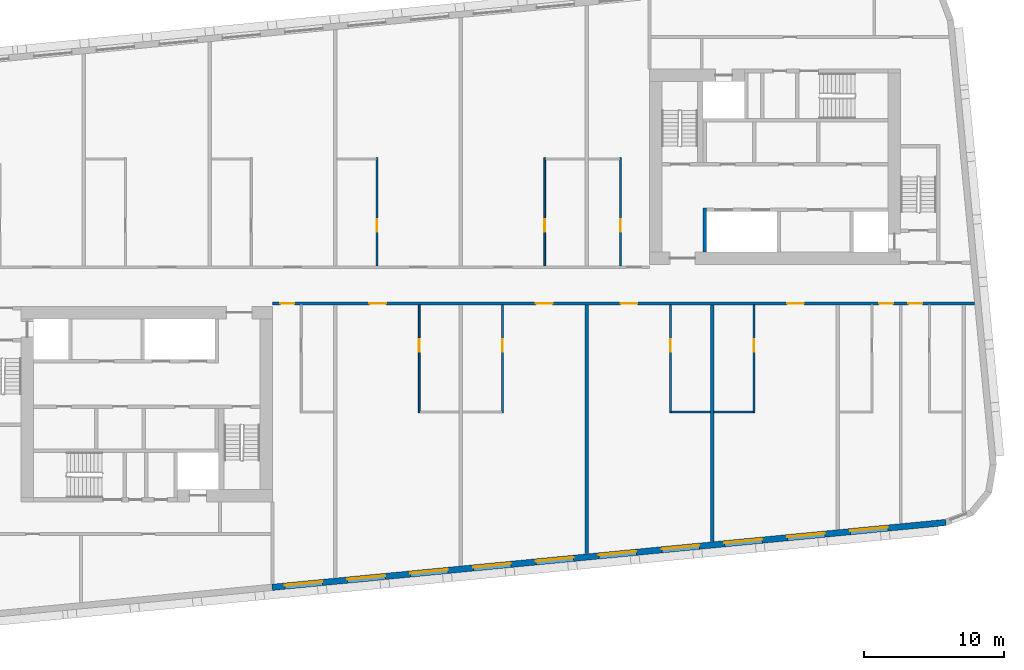
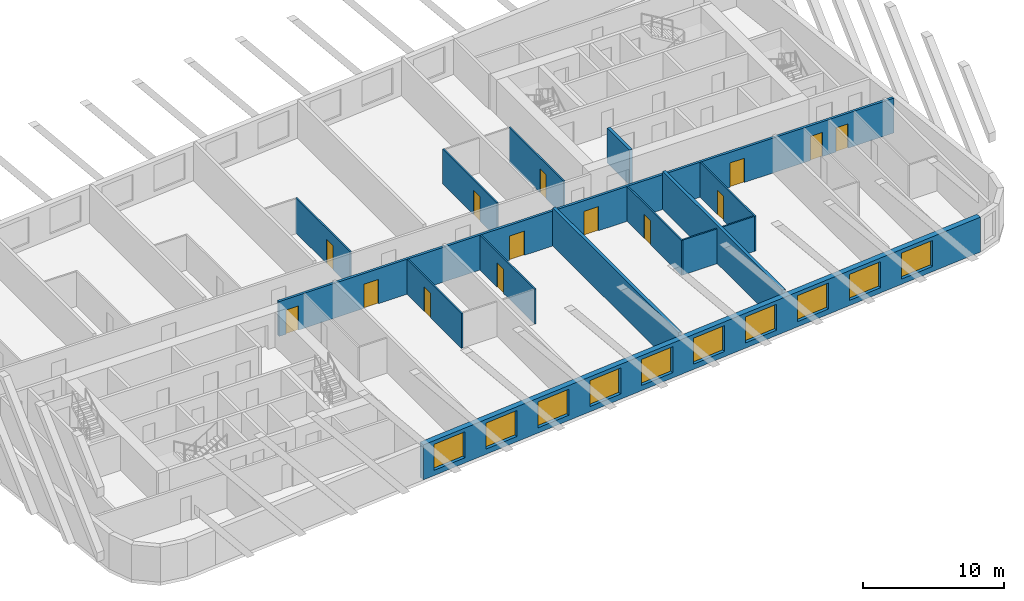
# One storey, part 4 of 12: 14 doors, 14 walls, 10 windows, 24 openings.
"""IFC4 building model written with IfcOpenShell, lengths in metres."""

from ifc_helpers import new_model, si_unit, direction, frame, frame_2d, origin, place, context, subcontext, project, spatial, rectangle, extrude, material, layer, layer_set, type_object, element, fill, save


model = new_model("IFC4")

# Units and contexts
model_context = context("Model", 3, precision=1e-05, world=origin(), true_north=direction((0.0, 1.0)))
body_context = subcontext(model_context, "Body", "Model", "MODEL_VIEW")
ifc_project = project(units=[si_unit("LENGTHUNIT", "METRE"), si_unit("AREAUNIT", "SQUARE_METRE"), si_unit("VOLUMEUNIT", "CUBIC_METRE"), si_unit("PLANEANGLEUNIT", "RADIAN"), si_unit("MASSUNIT", "GRAM", prefix="KILO")], contexts=[model_context])

# Site, building, storey
site_placement = place(None, origin())
site = spatial("IfcSite", under=ifc_project, at=site_placement, CompositionType="ELEMENT")
building_placement = place(site_placement, origin())
building = spatial("IfcBuilding", under=site, at=building_placement, Name="Kajstack Hotel Tower", CompositionType="ELEMENT")
storey_placement = place(building_placement, frame((0.0, 0.0, 268.5)))
storey = spatial("IfcBuildingStorey", under=building, at=storey_placement, Name="L66", CompositionType="ELEMENT", Elevation=268.5)

# Wall, openings, doors
ifc_material_1 = material(Name="Gypsum board on steel studs, mineral wool", Category="steel")
ifc_layer_1 = layer(ifc_material_1, 0.199951171875)
ifc_layer_set_1 = layer_set([ifc_layer_1], Name="Corridor wall 200")
wall_type_1 = type_object("IfcWallType", Name="Corridor wall 200", PredefinedType="PARTITIONING", material=ifc_layer_set_1)
wall_1_placement = place(storey_placement, frame((-13.5, -1.300048828125, 0.0), z_axis=(0.0, 0.0, 1.0), x_axis=(1.0, 0.0, 0.0)))
wall_1 = element("IfcWall", 1, at=wall_1_placement, inside=storey, type_object=wall_type_1, Name="G-wall-L66-018", PredefinedType="PARTITIONING", context=body_context, shape_type="SweptSolid", body=[
    extrude(rectangle(XDim=50.29296875, YDim=0.199951171875, at=frame_2d((25.146484375, 0.0))), origin(), (0.0, 0.0, 1.0), 3.02001953125),
])
opening_1_placement = place(wall_1_placement, frame((0.574951171875, 0.0, 0.0)))
opening_1 = element("IfcOpeningElement", 2, at=opening_1_placement, cuts=wall_1, Name="Opening 66015", PredefinedType="OPENING", context=body_context, shape_type="SweptSolid", body=[
    extrude(rectangle(XDim=1.0, YDim=2.10009765625, at=frame_2d((0.5, 1.050048828125))), frame((0.0, 0.10986328125, 0.0), z_axis=(0.0, -1.0, 0.0), x_axis=(1.0, 0.0, 0.0)), (0.0, 0.0, 1.0), 0.219970703125),
])
opening_2_placement = place(wall_1_placement, frame((6.93798828125, 0.0, 0.0)))
opening_2 = element("IfcOpeningElement", 3, at=opening_2_placement, cuts=wall_1, Name="Opening 66017", PredefinedType="OPENING", context=body_context, shape_type="SweptSolid", body=[
    extrude(rectangle(XDim=1.199951171875, YDim=2.10009765625, at=frame_2d((0.60009765625, 1.050048828125))), frame((0.0, 0.10986328125, 0.0), z_axis=(0.0, -1.0, 0.0), x_axis=(1.0, 0.0, 0.0)), (0.0, 0.0, 1.0), 0.219970703125),
])
opening_3_placement = place(wall_1_placement, frame((18.862060546875, 0.0, 0.0)))
opening_3 = element("IfcOpeningElement", 4, at=opening_3_placement, cuts=wall_1, Name="Opening 66019", PredefinedType="OPENING", context=body_context, shape_type="SweptSolid", body=[
    extrude(rectangle(XDim=1.199951171875, YDim=2.10009765625, at=frame_2d((0.60009765625, 1.050048828125))), frame((0.0, 0.10986328125, 0.0), z_axis=(0.0, -1.0, 0.0), x_axis=(1.0, 0.0, 0.0)), (0.0, 0.0, 1.0), 0.219970703125),
])
opening_4_placement = place(wall_1_placement, frame((24.93798828125, 0.0, 0.0)))
opening_4 = element("IfcOpeningElement", 5, at=opening_4_placement, cuts=wall_1, Name="Opening 66021", PredefinedType="OPENING", context=body_context, shape_type="SweptSolid", body=[
    extrude(rectangle(XDim=1.199951171875, YDim=2.10009765625, at=frame_2d((0.60009765625, 1.050048828125))), frame((0.0, 0.10986328125, 0.0), z_axis=(0.0, -1.0, 0.0), x_axis=(1.0, 0.0, 0.0)), (0.0, 0.0, 1.0), 0.219970703125),
])
opening_5_placement = place(wall_1_placement, frame((36.862060546875, 0.0, 0.0)))
opening_5 = element("IfcOpeningElement", 6, at=opening_5_placement, cuts=wall_1, Name="Opening 66023", PredefinedType="OPENING", context=body_context, shape_type="SweptSolid", body=[
    extrude(rectangle(XDim=1.199951171875, YDim=2.10009765625, at=frame_2d((0.60009765625, 1.050048828125))), frame((0.0, 0.10986328125, 0.0), z_axis=(0.0, -1.0, 0.0), x_axis=(1.0, 0.0, 0.0)), (0.0, 0.0, 1.0), 0.219970703125),
])
opening_6_placement = place(wall_1_placement, frame((43.449951171875, 0.0, 0.0)))
opening_6 = element("IfcOpeningElement", 7, at=opening_6_placement, cuts=wall_1, Name="Opening 66025", PredefinedType="OPENING", context=body_context, shape_type="SweptSolid", body=[
    extrude(rectangle(XDim=1.0, YDim=2.10009765625, at=frame_2d((0.5, 1.050048828125))), frame((0.0, 0.10986328125, 0.0), z_axis=(0.0, -1.0, 0.0), x_axis=(1.0, 0.0, 0.0)), (0.0, 0.0, 1.0), 0.219970703125),
])
opening_7_placement = place(wall_1_placement, frame((45.550048828125, 0.0, 0.0)))
opening_7 = element("IfcOpeningElement", 8, at=opening_7_placement, cuts=wall_1, Name="Opening 66027", PredefinedType="OPENING", context=body_context, shape_type="SweptSolid", body=[
    extrude(rectangle(XDim=1.0, YDim=2.10009765625, at=frame_2d((0.5, 1.050048828125))), frame((0.0, 0.10986328125, 0.0), z_axis=(0.0, -1.0, 0.0), x_axis=(1.0, 0.0, 0.0)), (0.0, 0.0, 1.0), 0.219970703125),
])
ifc_material_2 = material(Name="Oak veneer on timber core, fire-rated leaf", Category="wood")
door_type_1 = type_object("IfcDoorType", Name="Flat entrance door 1000", OperationType="SINGLE_SWING_LEFT", PredefinedType="DOOR", material=ifc_material_2)
door_1_placement = place(opening_1_placement, origin())
door_1 = element("IfcDoor", 9, at=door_1_placement, inside=storey, type_object=door_type_1, Name="G-door-L66-15", OperationType="SINGLE_SWING_LEFT", OverallHeight=2.10009765625, OverallWidth=1.0, PredefinedType="DOOR", context=body_context, shape_type="SweptSolid", body=[
    extrude(rectangle(XDim=1.0, YDim=2.10009765625, at=frame_2d((0.5, 1.050048828125))), frame((0.0, 0.02490234375, 0.0), z_axis=(0.0, -1.0, 0.0), x_axis=(1.0, 0.0, 0.0)), (0.0, 0.0, 1.0), 0.050048828125),
])
fill(opening_1, door_1)
door_2_placement = place(opening_6_placement, origin())
door_2 = element("IfcDoor", 10, at=door_2_placement, inside=storey, type_object=door_type_1, Name="G-door-L66-25", OperationType="SINGLE_SWING_RIGHT", OverallHeight=2.10009765625, OverallWidth=1.0, PredefinedType="DOOR", context=body_context, shape_type="SweptSolid", body=[
    extrude(rectangle(XDim=1.0, YDim=2.10009765625, at=frame_2d((0.5, 1.050048828125))), frame((0.0, 0.02490234375, 0.0), z_axis=(0.0, -1.0, 0.0), x_axis=(1.0, 0.0, 0.0)), (0.0, 0.0, 1.0), 0.050048828125),
])
fill(opening_6, door_2)
door_3_placement = place(opening_7_placement, origin())
door_3 = element("IfcDoor", 11, at=door_3_placement, inside=storey, type_object=door_type_1, Name="G-door-L66-27", OperationType="SINGLE_SWING_LEFT", OverallHeight=2.10009765625, OverallWidth=1.0, PredefinedType="DOOR", context=body_context, shape_type="SweptSolid", body=[
    extrude(rectangle(XDim=1.0, YDim=2.10009765625, at=frame_2d((0.5, 1.050048828125))), frame((0.0, 0.02490234375, 0.0), z_axis=(0.0, -1.0, 0.0), x_axis=(1.0, 0.0, 0.0)), (0.0, 0.0, 1.0), 0.050048828125),
])
fill(opening_7, door_3)
door_type_2 = type_object("IfcDoorType", Name="Flat entrance door 1200", OperationType="SINGLE_SWING_LEFT", PredefinedType="DOOR", material=ifc_material_2)
door_4_placement = place(opening_2_placement, origin())
door_4 = element("IfcDoor", 12, at=door_4_placement, inside=storey, type_object=door_type_2, Name="G-door-L66-17", OperationType="SINGLE_SWING_LEFT", OverallHeight=2.10009765625, OverallWidth=1.199951171875, PredefinedType="DOOR", context=body_context, shape_type="SweptSolid", body=[
    extrude(rectangle(XDim=1.199951171875, YDim=2.10009765625, at=frame_2d((0.60009765625, 1.050048828125))), frame((0.0, 0.02490234375, 0.0), z_axis=(0.0, -1.0, 0.0), x_axis=(1.0, 0.0, 0.0)), (0.0, 0.0, 1.0), 0.050048828125),
])
fill(opening_2, door_4)
door_5_placement = place(opening_3_placement, origin())
door_5 = element("IfcDoor", 13, at=door_5_placement, inside=storey, type_object=door_type_2, Name="G-door-L66-19", OperationType="SINGLE_SWING_RIGHT", OverallHeight=2.10009765625, OverallWidth=1.199951171875, PredefinedType="DOOR", context=body_context, shape_type="SweptSolid", body=[
    extrude(rectangle(XDim=1.199951171875, YDim=2.10009765625, at=frame_2d((0.60009765625, 1.050048828125))), frame((0.0, 0.02490234375, 0.0), z_axis=(0.0, -1.0, 0.0), x_axis=(1.0, 0.0, 0.0)), (0.0, 0.0, 1.0), 0.050048828125),
])
fill(opening_3, door_5)
door_6_placement = place(opening_4_placement, origin())
door_6 = element("IfcDoor", 14, at=door_6_placement, inside=storey, type_object=door_type_2, Name="G-door-L66-21", OperationType="SINGLE_SWING_RIGHT", OverallHeight=2.10009765625, OverallWidth=1.199951171875, PredefinedType="DOOR", context=body_context, shape_type="SweptSolid", body=[
    extrude(rectangle(XDim=1.199951171875, YDim=2.10009765625, at=frame_2d((0.60009765625, 1.050048828125))), frame((0.0, 0.02490234375, 0.0), z_axis=(0.0, -1.0, 0.0), x_axis=(1.0, 0.0, 0.0)), (0.0, 0.0, 1.0), 0.050048828125),
])
fill(opening_4, door_6)
door_7_placement = place(opening_5_placement, origin())
door_7 = element("IfcDoor", 15, at=door_7_placement, inside=storey, type_object=door_type_2, Name="G-door-L66-23", OperationType="SINGLE_SWING_RIGHT", OverallHeight=2.10009765625, OverallWidth=1.199951171875, PredefinedType="DOOR", context=body_context, shape_type="SweptSolid", body=[
    extrude(rectangle(XDim=1.199951171875, YDim=2.10009765625, at=frame_2d((0.60009765625, 1.050048828125))), frame((0.0, 0.02490234375, 0.0), z_axis=(0.0, -1.0, 0.0), x_axis=(1.0, 0.0, 0.0)), (0.0, 0.0, 1.0), 0.050048828125),
])
fill(opening_5, door_7)

# Wall, openings, windows
ifc_material_3 = material(Name="Terracotta-faced brick masonry", Category="masonry")
ifc_layer_2 = layer(ifc_material_3, 0.449951171875)
ifc_layer_set_2 = layer_set([ifc_layer_2], Name="EW-TERRA")
wall_type_2 = type_object("IfcWallType", Name="EW-TERRA", PredefinedType="SOLIDWALL", material=ifc_layer_set_2)
wall_2_placement = place(storey_placement, frame((-13.521484375, -21.6240234375, 0.0), z_axis=(0.0, 0.0, 1.0), x_axis=(0.995396186218, 0.095845878695, 0.0)))
wall_2 = element("IfcWall", 16, at=wall_2_placement, inside=storey, type_object=wall_type_2, Name="E-wall-L66-04-02", PredefinedType="SOLIDWALL", context=body_context, shape_type="SweptSolid", body=[
    extrude(rectangle(XDim=48.481201171875, YDim=0.449951171875, at=frame_2d((24.24072265625, 0.0))), origin(), (0.0, 0.0, 1.0), 3.02001953125),
])
opening_8_placement = place(wall_2_placement, frame((0.910400390625, 0.0, 0.449951171875)))
opening_8 = element("IfcOpeningElement", 17, at=opening_8_placement, cuts=wall_2, Name="Opening W1", PredefinedType="OPENING", context=body_context, shape_type="SweptSolid", body=[
    extrude(rectangle(XDim=2.699951171875, YDim=2.25, at=frame_2d((1.35009765625, 1.125))), frame((0.0, 0.23486328125, 0.0), z_axis=(0.0, -1.0, 0.0), x_axis=(1.0, 0.0, 0.0)), (0.0, 0.0, 1.0), 0.469970703125),
])
opening_9_placement = place(wall_2_placement, frame((5.43115234375, 0.0, 0.449951171875)))
opening_9 = element("IfcOpeningElement", 18, at=opening_9_placement, cuts=wall_2, Name="Opening W1", PredefinedType="OPENING", context=body_context, shape_type="SweptSolid", body=[
    extrude(rectangle(XDim=2.699951171875, YDim=2.25, at=frame_2d((1.35009765625, 1.125))), frame((0.0, 0.23486328125, 0.0), z_axis=(0.0, -1.0, 0.0), x_axis=(1.0, 0.0, 0.0)), (0.0, 0.0, 1.0), 0.469970703125),
])
opening_10_placement = place(wall_2_placement, frame((9.951904296875, 0.0, 0.449951171875)))
opening_10 = element("IfcOpeningElement", 19, at=opening_10_placement, cuts=wall_2, Name="Opening W1", PredefinedType="OPENING", context=body_context, shape_type="SweptSolid", body=[
    extrude(rectangle(XDim=2.699951171875, YDim=2.25, at=frame_2d((1.35009765625, 1.125))), frame((0.0, 0.23486328125, 0.0), z_axis=(0.0, -1.0, 0.0), x_axis=(1.0, 0.0, 0.0)), (0.0, 0.0, 1.0), 0.469970703125),
])
opening_11_placement = place(wall_2_placement, frame((14.472900390625, 0.0, 0.449951171875)))
opening_11 = element("IfcOpeningElement", 20, at=opening_11_placement, cuts=wall_2, Name="Opening W1", PredefinedType="OPENING", context=body_context, shape_type="SweptSolid", body=[
    extrude(rectangle(XDim=2.699951171875, YDim=2.25, at=frame_2d((1.35009765625, 1.125))), frame((0.0, 0.23486328125, 0.0), z_axis=(0.0, -1.0, 0.0), x_axis=(1.0, 0.0, 0.0)), (0.0, 0.0, 1.0), 0.469970703125),
])
opening_12_placement = place(wall_2_placement, frame((18.99365234375, 0.0, 0.449951171875)))
opening_12 = element("IfcOpeningElement", 21, at=opening_12_placement, cuts=wall_2, Name="Opening W1", PredefinedType="OPENING", context=body_context, shape_type="SweptSolid", body=[
    extrude(rectangle(XDim=2.699951171875, YDim=2.25, at=frame_2d((1.35009765625, 1.125))), frame((0.0, 0.23486328125, 0.0), z_axis=(0.0, -1.0, 0.0), x_axis=(1.0, 0.0, 0.0)), (0.0, 0.0, 1.0), 0.469970703125),
])
opening_13_placement = place(wall_2_placement, frame((23.514404296875, 0.0, 0.449951171875)))
opening_13 = element("IfcOpeningElement", 22, at=opening_13_placement, cuts=wall_2, Name="Opening W1", PredefinedType="OPENING", context=body_context, shape_type="SweptSolid", body=[
    extrude(rectangle(XDim=2.699951171875, YDim=2.25, at=frame_2d((1.35009765625, 1.125))), frame((0.0, 0.23486328125, 0.0), z_axis=(0.0, -1.0, 0.0), x_axis=(1.0, 0.0, 0.0)), (0.0, 0.0, 1.0), 0.469970703125),
])
opening_14_placement = place(wall_2_placement, frame((28.03515625, 0.0, 0.449951171875)))
opening_14 = element("IfcOpeningElement", 23, at=opening_14_placement, cuts=wall_2, Name="Opening W1", PredefinedType="OPENING", context=body_context, shape_type="SweptSolid", body=[
    extrude(rectangle(XDim=2.699951171875, YDim=2.25, at=frame_2d((1.35009765625, 1.125))), frame((0.0, 0.23486328125, 0.0), z_axis=(0.0, -1.0, 0.0), x_axis=(1.0, 0.0, 0.0)), (0.0, 0.0, 1.0), 0.469970703125),
])
opening_15_placement = place(wall_2_placement, frame((32.55615234375, 0.0, 0.449951171875)))
opening_15 = element("IfcOpeningElement", 24, at=opening_15_placement, cuts=wall_2, Name="Opening W1", PredefinedType="OPENING", context=body_context, shape_type="SweptSolid", body=[
    extrude(rectangle(XDim=2.699951171875, YDim=2.25, at=frame_2d((1.35009765625, 1.125))), frame((0.0, 0.23486328125, 0.0), z_axis=(0.0, -1.0, 0.0), x_axis=(1.0, 0.0, 0.0)), (0.0, 0.0, 1.0), 0.469970703125),
])
opening_16_placement = place(wall_2_placement, frame((37.076904296875, 0.0, 0.449951171875)))
opening_16 = element("IfcOpeningElement", 25, at=opening_16_placement, cuts=wall_2, Name="Opening W1", PredefinedType="OPENING", context=body_context, shape_type="SweptSolid", body=[
    extrude(rectangle(XDim=2.699951171875, YDim=2.25, at=frame_2d((1.35009765625, 1.125))), frame((0.0, 0.23486328125, 0.0), z_axis=(0.0, -1.0, 0.0), x_axis=(1.0, 0.0, 0.0)), (0.0, 0.0, 1.0), 0.469970703125),
])
opening_17_placement = place(wall_2_placement, frame((41.59765625, 0.0, 0.449951171875)))
opening_17 = element("IfcOpeningElement", 26, at=opening_17_placement, cuts=wall_2, Name="Opening W1", PredefinedType="OPENING", context=body_context, shape_type="SweptSolid", body=[
    extrude(rectangle(XDim=2.699951171875, YDim=2.25, at=frame_2d((1.35009765625, 1.125))), frame((0.0, 0.23486328125, 0.0), z_axis=(0.0, -1.0, 0.0), x_axis=(1.0, 0.0, 0.0)), (0.0, 0.0, 1.0), 0.469970703125),
])
ifc_material_4 = material(Name="Timber-aluminium window, triple glazed", Category="wood")
window_type = type_object("IfcWindowType", Name="WG1", PartitioningType="SINGLE_PANEL", PredefinedType="WINDOW", material=ifc_material_4)
window_1_placement = place(opening_8_placement, origin())
window_1 = element("IfcWindow", 27, at=window_1_placement, inside=storey, type_object=window_type, Name="Window W1 L66-04", OverallHeight=2.25, OverallWidth=2.699951171875, PartitioningType="SINGLE_PANEL", PredefinedType="WINDOW", context=body_context, shape_type="SweptSolid", body=[
    extrude(rectangle(XDim=2.699951171875, YDim=2.25, at=frame_2d((1.35009765625, 1.125))), frame((0.0, 0.090087890625, 0.0), z_axis=(0.0, -1.0, 0.0), x_axis=(1.0, 0.0, 0.0)), (0.0, 0.0, 1.0), 0.06005859375),
])
fill(opening_8, window_1)
window_2_placement = place(opening_9_placement, origin())
window_2 = element("IfcWindow", 28, at=window_2_placement, inside=storey, type_object=window_type, Name="Window W1 L66-04", OverallHeight=2.25, OverallWidth=2.699951171875, PartitioningType="SINGLE_PANEL", PredefinedType="WINDOW", context=body_context, shape_type="SweptSolid", body=[
    extrude(rectangle(XDim=2.699951171875, YDim=2.25, at=frame_2d((1.35009765625, 1.125))), frame((0.0, 0.090087890625, 0.0), z_axis=(0.0, -1.0, 0.0), x_axis=(1.0, 0.0, 0.0)), (0.0, 0.0, 1.0), 0.06005859375),
])
fill(opening_9, window_2)
window_3_placement = place(opening_10_placement, origin())
window_3 = element("IfcWindow", 29, at=window_3_placement, inside=storey, type_object=window_type, Name="Window W1 L66-04", OverallHeight=2.25, OverallWidth=2.699951171875, PartitioningType="SINGLE_PANEL", PredefinedType="WINDOW", context=body_context, shape_type="SweptSolid", body=[
    extrude(rectangle(XDim=2.699951171875, YDim=2.25, at=frame_2d((1.35009765625, 1.125))), frame((0.0, 0.090087890625, 0.0), z_axis=(0.0, -1.0, 0.0), x_axis=(1.0, 0.0, 0.0)), (0.0, 0.0, 1.0), 0.06005859375),
])
fill(opening_10, window_3)
window_4_placement = place(opening_11_placement, origin())
window_4 = element("IfcWindow", 30, at=window_4_placement, inside=storey, type_object=window_type, Name="Window W1 L66-04", OverallHeight=2.25, OverallWidth=2.699951171875, PartitioningType="SINGLE_PANEL", PredefinedType="WINDOW", context=body_context, shape_type="SweptSolid", body=[
    extrude(rectangle(XDim=2.699951171875, YDim=2.25, at=frame_2d((1.35009765625, 1.125))), frame((0.0, 0.090087890625, 0.0), z_axis=(0.0, -1.0, 0.0), x_axis=(1.0, 0.0, 0.0)), (0.0, 0.0, 1.0), 0.06005859375),
])
fill(opening_11, window_4)
window_5_placement = place(opening_12_placement, origin())
window_5 = element("IfcWindow", 31, at=window_5_placement, inside=storey, type_object=window_type, Name="Window W1 L66-04", OverallHeight=2.25, OverallWidth=2.699951171875, PartitioningType="SINGLE_PANEL", PredefinedType="WINDOW", context=body_context, shape_type="SweptSolid", body=[
    extrude(rectangle(XDim=2.699951171875, YDim=2.25, at=frame_2d((1.35009765625, 1.125))), frame((0.0, 0.090087890625, 0.0), z_axis=(0.0, -1.0, 0.0), x_axis=(1.0, 0.0, 0.0)), (0.0, 0.0, 1.0), 0.06005859375),
])
fill(opening_12, window_5)
window_6_placement = place(opening_13_placement, origin())
window_6 = element("IfcWindow", 32, at=window_6_placement, inside=storey, type_object=window_type, Name="Window W1 L66-04", OverallHeight=2.25, OverallWidth=2.699951171875, PartitioningType="SINGLE_PANEL", PredefinedType="WINDOW", context=body_context, shape_type="SweptSolid", body=[
    extrude(rectangle(XDim=2.699951171875, YDim=2.25, at=frame_2d((1.35009765625, 1.125))), frame((0.0, 0.090087890625, 0.0), z_axis=(0.0, -1.0, 0.0), x_axis=(1.0, 0.0, 0.0)), (0.0, 0.0, 1.0), 0.06005859375),
])
fill(opening_13, window_6)
window_7_placement = place(opening_14_placement, origin())
window_7 = element("IfcWindow", 33, at=window_7_placement, inside=storey, type_object=window_type, Name="Window W1 L66-04", OverallHeight=2.25, OverallWidth=2.699951171875, PartitioningType="SINGLE_PANEL", PredefinedType="WINDOW", context=body_context, shape_type="SweptSolid", body=[
    extrude(rectangle(XDim=2.699951171875, YDim=2.25, at=frame_2d((1.35009765625, 1.125))), frame((0.0, 0.090087890625, 0.0), z_axis=(0.0, -1.0, 0.0), x_axis=(1.0, 0.0, 0.0)), (0.0, 0.0, 1.0), 0.06005859375),
])
fill(opening_14, window_7)
window_8_placement = place(opening_15_placement, origin())
window_8 = element("IfcWindow", 34, at=window_8_placement, inside=storey, type_object=window_type, Name="Window W1 L66-04", OverallHeight=2.25, OverallWidth=2.699951171875, PartitioningType="SINGLE_PANEL", PredefinedType="WINDOW", context=body_context, shape_type="SweptSolid", body=[
    extrude(rectangle(XDim=2.699951171875, YDim=2.25, at=frame_2d((1.35009765625, 1.125))), frame((0.0, 0.090087890625, 0.0), z_axis=(0.0, -1.0, 0.0), x_axis=(1.0, 0.0, 0.0)), (0.0, 0.0, 1.0), 0.06005859375),
])
fill(opening_15, window_8)
window_9_placement = place(opening_16_placement, origin())
window_9 = element("IfcWindow", 35, at=window_9_placement, inside=storey, type_object=window_type, Name="Window W1 L66-04", OverallHeight=2.25, OverallWidth=2.699951171875, PartitioningType="SINGLE_PANEL", PredefinedType="WINDOW", context=body_context, shape_type="SweptSolid", body=[
    extrude(rectangle(XDim=2.699951171875, YDim=2.25, at=frame_2d((1.35009765625, 1.125))), frame((0.0, 0.090087890625, 0.0), z_axis=(0.0, -1.0, 0.0), x_axis=(1.0, 0.0, 0.0)), (0.0, 0.0, 1.0), 0.06005859375),
])
fill(opening_16, window_9)
window_10_placement = place(opening_17_placement, origin())
window_10 = element("IfcWindow", 36, at=window_10_placement, inside=storey, type_object=window_type, Name="Window W1 L66-04", OverallHeight=2.25, OverallWidth=2.699951171875, PartitioningType="SINGLE_PANEL", PredefinedType="WINDOW", context=body_context, shape_type="SweptSolid", body=[
    extrude(rectangle(XDim=2.699951171875, YDim=2.25, at=frame_2d((1.35009765625, 1.125))), frame((0.0, 0.090087890625, 0.0), z_axis=(0.0, -1.0, 0.0), x_axis=(1.0, 0.0, 0.0)), (0.0, 0.0, 1.0), 0.06005859375),
])
fill(opening_17, window_10)

# Wall, opening, door
ifc_material_5 = material(Name="Gypsum board and tiled backer on steel studs", Category="steel")
ifc_layer_3 = layer(ifc_material_5, 0.125)
ifc_layer_set_3 = layer_set([ifc_layer_3], Name="En-suite wall 125")
wall_type_3 = type_object("IfcWallType", Name="En-suite wall 125", PredefinedType="PARTITIONING", material=ifc_layer_set_3)
wall_3_placement = place(storey_placement, frame((-6.012939453125, 1.39990234375, 0.0), z_axis=(0.0, 0.0, 1.0), x_axis=(0.0, 1.0, 0.0)))
wall_3 = element("IfcWall", 37, at=wall_3_placement, inside=storey, type_object=wall_type_3, Name="G-wall-L66-012", PredefinedType="PARTITIONING", context=body_context, shape_type="SweptSolid", body=[
    extrude(rectangle(XDim=7.72509765625, YDim=0.125, at=frame_2d((3.862548828125, 0.0))), origin(), (0.0, 0.0, 1.0), 3.02001953125),
])
opening_18_placement = place(wall_3_placement, frame((2.449951171875, 0.0, 0.0)))
opening_18 = element("IfcOpeningElement", 38, at=opening_18_placement, cuts=wall_3, Name="Opening 66010", PredefinedType="OPENING", context=body_context, shape_type="SweptSolid", body=[
    extrude(rectangle(XDim=0.89990234375, YDim=2.10009765625, at=frame_2d((0.449951171875, 1.050048828125))), frame((0.0, 0.072509765625, 0.0), z_axis=(0.0, -1.0, 0.0), x_axis=(1.0, 0.0, 0.0)), (0.0, 0.0, 1.0), 0.14501953125),
])
ifc_material_6 = material(Name="Painted timber door leaf", Category="wood")
door_type_3 = type_object("IfcDoorType", Name="Room door 900", OperationType="SINGLE_SWING_LEFT", PredefinedType="DOOR", material=ifc_material_6)
door_8_placement = place(opening_18_placement, origin())
door_8 = element("IfcDoor", 39, at=door_8_placement, inside=storey, type_object=door_type_3, Name="G-door-L66-10", OperationType="SINGLE_SWING_RIGHT", OverallHeight=2.10009765625, OverallWidth=0.89990234375, PredefinedType="DOOR", context=body_context, shape_type="SweptSolid", body=[
    extrude(rectangle(XDim=0.89990234375, YDim=2.10009765625, at=frame_2d((0.449951171875, 1.050048828125))), frame((0.0, 0.02490234375, 0.0), z_axis=(0.0, -1.0, 0.0), x_axis=(1.0, 0.0, 0.0)), (0.0, 0.0, 1.0), 0.050048828125),
])
fill(opening_18, door_8)

wall_4_placement = place(storey_placement, frame((6.012939453125, 1.39990234375, 0.0), z_axis=(0.0, 0.0, 1.0), x_axis=(0.0, 1.0, 0.0)))
wall_4 = element("IfcWall", 40, at=wall_4_placement, inside=storey, type_object=wall_type_3, Name="G-wall-L66-014", PredefinedType="PARTITIONING", context=body_context, shape_type="SweptSolid", body=[
    extrude(rectangle(XDim=7.72509765625, YDim=0.125, at=frame_2d((3.862548828125, 0.0))), origin(), (0.0, 0.0, 1.0), 3.02001953125),
])
opening_19_placement = place(wall_4_placement, frame((2.449951171875, 0.0, 0.0)))
opening_19 = element("IfcOpeningElement", 41, at=opening_19_placement, cuts=wall_4, Name="Opening 66012", PredefinedType="OPENING", context=body_context, shape_type="SweptSolid", body=[
    extrude(rectangle(XDim=0.89990234375, YDim=2.10009765625, at=frame_2d((0.449951171875, 1.050048828125))), frame((0.0, 0.072509765625, 0.0), z_axis=(0.0, -1.0, 0.0), x_axis=(1.0, 0.0, 0.0)), (0.0, 0.0, 1.0), 0.14501953125),
])
door_9_placement = place(opening_19_placement, origin())
door_9 = element("IfcDoor", 42, at=door_9_placement, inside=storey, type_object=door_type_3, Name="G-door-L66-12", OperationType="SINGLE_SWING_LEFT", OverallHeight=2.10009765625, OverallWidth=0.89990234375, PredefinedType="DOOR", context=body_context, shape_type="SweptSolid", body=[
    extrude(rectangle(XDim=0.89990234375, YDim=2.10009765625, at=frame_2d((0.449951171875, 1.050048828125))), frame((0.0, 0.02490234375, 0.0), z_axis=(0.0, -1.0, 0.0), x_axis=(1.0, 0.0, 0.0)), (0.0, 0.0, 1.0), 0.050048828125),
])
fill(opening_19, door_9)

wall_5_placement = place(storey_placement, frame((11.43798828125, 1.39990234375, 0.0), z_axis=(0.0, 0.0, 1.0), x_axis=(0.0, 1.0, 0.0)))
wall_5 = element("IfcWall", 43, at=wall_5_placement, inside=storey, type_object=wall_type_3, Name="G-wall-L66-016", PredefinedType="PARTITIONING", context=body_context, shape_type="SweptSolid", body=[
    extrude(rectangle(XDim=7.72509765625, YDim=0.125, at=frame_2d((3.862548828125, 0.0))), origin(), (0.0, 0.0, 1.0), 3.02001953125),
])
opening_20_placement = place(wall_5_placement, frame((2.449951171875, 0.0, 0.0)))
opening_20 = element("IfcOpeningElement", 44, at=opening_20_placement, cuts=wall_5, Name="Opening 66014", PredefinedType="OPENING", context=body_context, shape_type="SweptSolid", body=[
    extrude(rectangle(XDim=0.89990234375, YDim=2.10009765625, at=frame_2d((0.449951171875, 1.050048828125))), frame((0.0, 0.072509765625, 0.0), z_axis=(0.0, -1.0, 0.0), x_axis=(1.0, 0.0, 0.0)), (0.0, 0.0, 1.0), 0.14501953125),
])
door_10_placement = place(opening_20_placement, origin())
door_10 = element("IfcDoor", 45, at=door_10_placement, inside=storey, type_object=door_type_3, Name="G-door-L66-14", OperationType="SINGLE_SWING_LEFT", OverallHeight=2.10009765625, OverallWidth=0.89990234375, PredefinedType="DOOR", context=body_context, shape_type="SweptSolid", body=[
    extrude(rectangle(XDim=0.89990234375, YDim=2.10009765625, at=frame_2d((0.449951171875, 1.050048828125))), frame((0.0, 0.02490234375, 0.0), z_axis=(0.0, -1.0, 0.0), x_axis=(1.0, 0.0, 0.0)), (0.0, 0.0, 1.0), 0.050048828125),
])
fill(opening_20, door_10)

wall_6_placement = place(storey_placement, frame((-2.987060546875, -9.125, 0.0), z_axis=(0.0, 0.0, 1.0), x_axis=(0.0, 1.0, 0.0)))
wall_6 = element("IfcWall", 46, at=wall_6_placement, inside=storey, type_object=wall_type_3, Name="G-wall-L66-021", PredefinedType="PARTITIONING", context=body_context, shape_type="SweptSolid", body=[
    extrude(rectangle(XDim=7.72509765625, YDim=0.125, at=frame_2d((3.862548828125, 0.0))), origin(), (0.0, 0.0, 1.0), 3.02001953125),
])
opening_21_placement = place(wall_6_placement, frame((4.375, 0.0, 0.0)))
opening_21 = element("IfcOpeningElement", 47, at=opening_21_placement, cuts=wall_6, Name="Opening 66018", PredefinedType="OPENING", context=body_context, shape_type="SweptSolid", body=[
    extrude(rectangle(XDim=0.89990234375, YDim=2.10009765625, at=frame_2d((0.449951171875, 1.050048828125))), frame((0.0, 0.072509765625, 0.0), z_axis=(0.0, -1.0, 0.0), x_axis=(1.0, 0.0, 0.0)), (0.0, 0.0, 1.0), 0.14501953125),
])
door_11_placement = place(opening_21_placement, origin())
door_11 = element("IfcDoor", 48, at=door_11_placement, inside=storey, type_object=door_type_3, Name="G-door-L66-18", OperationType="SINGLE_SWING_RIGHT", OverallHeight=2.10009765625, OverallWidth=0.89990234375, PredefinedType="DOOR", context=body_context, shape_type="SweptSolid", body=[
    extrude(rectangle(XDim=0.89990234375, YDim=2.10009765625, at=frame_2d((0.449951171875, 1.050048828125))), frame((0.0, 0.02490234375, 0.0), z_axis=(0.0, -1.0, 0.0), x_axis=(1.0, 0.0, 0.0)), (0.0, 0.0, 1.0), 0.050048828125),
])
fill(opening_21, door_11)

wall_7_placement = place(storey_placement, frame((2.987060546875, -9.125, 0.0), z_axis=(0.0, 0.0, 1.0), x_axis=(0.0, 1.0, 0.0)))
wall_7 = element("IfcWall", 49, at=wall_7_placement, inside=storey, type_object=wall_type_3, Name="G-wall-L66-023", PredefinedType="PARTITIONING", context=body_context, shape_type="SweptSolid", body=[
    extrude(rectangle(XDim=7.72509765625, YDim=0.125, at=frame_2d((3.862548828125, 0.0))), origin(), (0.0, 0.0, 1.0), 3.02001953125),
])
opening_22_placement = place(wall_7_placement, frame((4.375, 0.0, 0.0)))
opening_22 = element("IfcOpeningElement", 50, at=opening_22_placement, cuts=wall_7, Name="Opening 66020", PredefinedType="OPENING", context=body_context, shape_type="SweptSolid", body=[
    extrude(rectangle(XDim=0.89990234375, YDim=2.10009765625, at=frame_2d((0.449951171875, 1.050048828125))), frame((0.0, 0.072509765625, 0.0), z_axis=(0.0, -1.0, 0.0), x_axis=(1.0, 0.0, 0.0)), (0.0, 0.0, 1.0), 0.14501953125),
])
door_12_placement = place(opening_22_placement, origin())
door_12 = element("IfcDoor", 51, at=door_12_placement, inside=storey, type_object=door_type_3, Name="G-door-L66-20", OperationType="SINGLE_SWING_RIGHT", OverallHeight=2.10009765625, OverallWidth=0.89990234375, PredefinedType="DOOR", context=body_context, shape_type="SweptSolid", body=[
    extrude(rectangle(XDim=0.89990234375, YDim=2.10009765625, at=frame_2d((0.449951171875, 1.050048828125))), frame((0.0, 0.02490234375, 0.0), z_axis=(0.0, -1.0, 0.0), x_axis=(1.0, 0.0, 0.0)), (0.0, 0.0, 1.0), 0.050048828125),
])
fill(opening_22, door_12)

wall_8_placement = place(storey_placement, frame((15.011962890625, -9.125, 0.0), z_axis=(0.0, 0.0, 1.0), x_axis=(0.0, 1.0, 0.0)))
wall_8 = element("IfcWall", 52, at=wall_8_placement, inside=storey, type_object=wall_type_3, Name="G-wall-L66-025", PredefinedType="PARTITIONING", context=body_context, shape_type="SweptSolid", body=[
    extrude(rectangle(XDim=7.72509765625, YDim=0.125, at=frame_2d((3.862548828125, 0.0))), origin(), (0.0, 0.0, 1.0), 3.02001953125),
])
opening_23_placement = place(wall_8_placement, frame((4.375, 0.0, 0.0)))
opening_23 = element("IfcOpeningElement", 53, at=opening_23_placement, cuts=wall_8, Name="Opening 66022", PredefinedType="OPENING", context=body_context, shape_type="SweptSolid", body=[
    extrude(rectangle(XDim=0.89990234375, YDim=2.10009765625, at=frame_2d((0.449951171875, 1.050048828125))), frame((0.0, 0.072509765625, 0.0), z_axis=(0.0, -1.0, 0.0), x_axis=(1.0, 0.0, 0.0)), (0.0, 0.0, 1.0), 0.14501953125),
])
door_13_placement = place(opening_23_placement, origin())
door_13 = element("IfcDoor", 54, at=door_13_placement, inside=storey, type_object=door_type_3, Name="G-door-L66-22", OperationType="SINGLE_SWING_LEFT", OverallHeight=2.10009765625, OverallWidth=0.89990234375, PredefinedType="DOOR", context=body_context, shape_type="SweptSolid", body=[
    extrude(rectangle(XDim=0.89990234375, YDim=2.10009765625, at=frame_2d((0.449951171875, 1.050048828125))), frame((0.0, 0.02490234375, 0.0), z_axis=(0.0, -1.0, 0.0), x_axis=(1.0, 0.0, 0.0)), (0.0, 0.0, 1.0), 0.050048828125),
])
fill(opening_23, door_13)

# Wall
wall_9_placement = place(storey_placement, frame((15.074951171875, -9.06201171875, 0.0), z_axis=(0.0, 0.0, 1.0), x_axis=(1.0, 0.0, 0.0)))
element("IfcWall", 55, at=wall_9_placement, inside=storey, type_object=wall_type_3, Name="G-wall-L66-026", PredefinedType="PARTITIONING", context=body_context, shape_type="SweptSolid", body=[
    extrude(rectangle(XDim=2.800048828125, YDim=0.125, at=frame_2d((1.39990234375, 0.0))), origin(), (0.0, 0.0, 1.0), 3.02001953125),
])

# Wall, opening, door
wall_10_placement = place(storey_placement, frame((20.988037109375, -9.125, 0.0), z_axis=(0.0, 0.0, 1.0), x_axis=(0.0, 1.0, 0.0)))
wall_10 = element("IfcWall", 56, at=wall_10_placement, inside=storey, type_object=wall_type_3, Name="G-wall-L66-027", PredefinedType="PARTITIONING", context=body_context, shape_type="SweptSolid", body=[
    extrude(rectangle(XDim=7.72509765625, YDim=0.125, at=frame_2d((3.862548828125, 0.0))), origin(), (0.0, 0.0, 1.0), 3.02001953125),
])
opening_24_placement = place(wall_10_placement, frame((4.375, 0.0, 0.0)))
opening_24 = element("IfcOpeningElement", 57, at=opening_24_placement, cuts=wall_10, Name="Opening 66024", PredefinedType="OPENING", context=body_context, shape_type="SweptSolid", body=[
    extrude(rectangle(XDim=0.89990234375, YDim=2.10009765625, at=frame_2d((0.449951171875, 1.050048828125))), frame((0.0, 0.072509765625, 0.0), z_axis=(0.0, -1.0, 0.0), x_axis=(1.0, 0.0, 0.0)), (0.0, 0.0, 1.0), 0.14501953125),
])
door_14_placement = place(opening_24_placement, origin())
door_14 = element("IfcDoor", 58, at=door_14_placement, inside=storey, type_object=door_type_3, Name="G-door-L66-24", OperationType="SINGLE_SWING_LEFT", OverallHeight=2.10009765625, OverallWidth=0.89990234375, PredefinedType="DOOR", context=body_context, shape_type="SweptSolid", body=[
    extrude(rectangle(XDim=0.89990234375, YDim=2.10009765625, at=frame_2d((0.449951171875, 1.050048828125))), frame((0.0, 0.02490234375, 0.0), z_axis=(0.0, -1.0, 0.0), x_axis=(1.0, 0.0, 0.0)), (0.0, 0.0, 1.0), 0.050048828125),
])
fill(opening_24, door_14)

# Walls
wall_11_placement = place(storey_placement, frame((18.125, -9.06201171875, 0.0), z_axis=(0.0, 0.0, 1.0), x_axis=(1.0, 0.0, 0.0)))
element("IfcWall", 59, at=wall_11_placement, inside=storey, type_object=wall_type_3, Name="G-wall-L66-028", PredefinedType="PARTITIONING", context=body_context, shape_type="SweptSolid", body=[
    extrude(rectangle(XDim=2.800048828125, YDim=0.125, at=frame_2d((1.39990234375, 0.0))), origin(), (0.0, 0.0, 1.0), 3.02001953125),
])
ifc_material_7 = material(Name="Concrete C40/50", Category="concrete")
ifc_layer_4 = layer(ifc_material_7, 0.25)
ifc_layer_set_4 = layer_set([ifc_layer_4], Name="RC cross wall 250 C40/50")
wall_type_4 = type_object("IfcWallType", Name="RC cross wall 250 C40/50", PredefinedType="SHEAR", material=ifc_layer_set_4)
wall_12_placement = place(storey_placement, frame((9.0, -19.207275390625, 0.0), z_axis=(0.0, 0.0, 1.0), x_axis=(0.0, 1.0, 0.0)))
element("IfcWall", 60, at=wall_12_placement, inside=storey, type_object=wall_type_4, Name="S-wall-L66-08", PredefinedType="SHEAR", context=body_context, shape_type="SweptSolid", body=[
    extrude(rectangle(XDim=17.807373046875, YDim=0.25, at=frame_2d((8.90380859375, 0.0))), origin(), (0.0, 0.0, 1.0), 3.300048828125),
])
wall_13_placement = place(storey_placement, frame((18.0, -18.3408203125, 0.0), z_axis=(0.0, 0.0, 1.0), x_axis=(0.0, 1.0, 0.0)))
element("IfcWall", 61, at=wall_13_placement, inside=storey, type_object=wall_type_4, Name="S-wall-L66-10", PredefinedType="SHEAR", context=body_context, shape_type="SweptSolid", body=[
    extrude(rectangle(XDim=16.94091796875, YDim=0.25, at=frame_2d((8.470458984375, 0.0))), origin(), (0.0, 0.0, 1.0), 3.300048828125),
])
ifc_material_8 = material(Name="Concrete C50/60", Category="concrete")
ifc_layer_5 = layer(ifc_material_8, 0.25)
ifc_layer_set_5 = layer_set([ifc_layer_5], Name="Shaft wall 250")
wall_type_5 = type_object("IfcWallType", Name="Shaft wall 250", PredefinedType="SHEAR", material=ifc_layer_set_5)
wall_14_placement = place(storey_placement, frame((17.47509765625, 2.39990234375, 0.0), z_axis=(0.0, 0.0, 1.0), x_axis=(0.0, 1.0, 0.0)))
element("IfcWall", 62, at=wall_14_placement, inside=storey, type_object=wall_type_5, Name="Core wall E AE", PredefinedType="SHEAR", context=body_context, shape_type="SweptSolid", body=[
    extrude(rectangle(XDim=3.150146484375, YDim=0.25, at=frame_2d((1.5751953125, 0.0))), origin(), (0.0, 0.0, 1.0), 3.02001953125),
])

save(model, "model.ifc")
